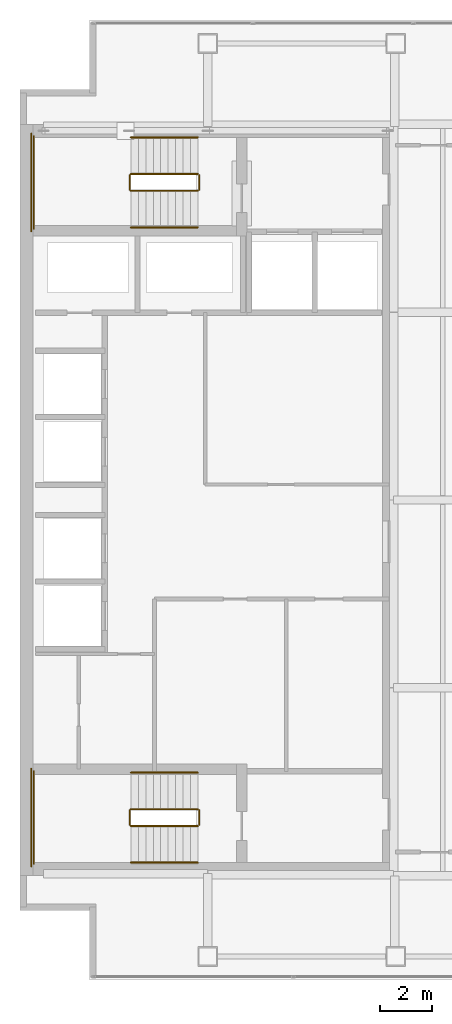
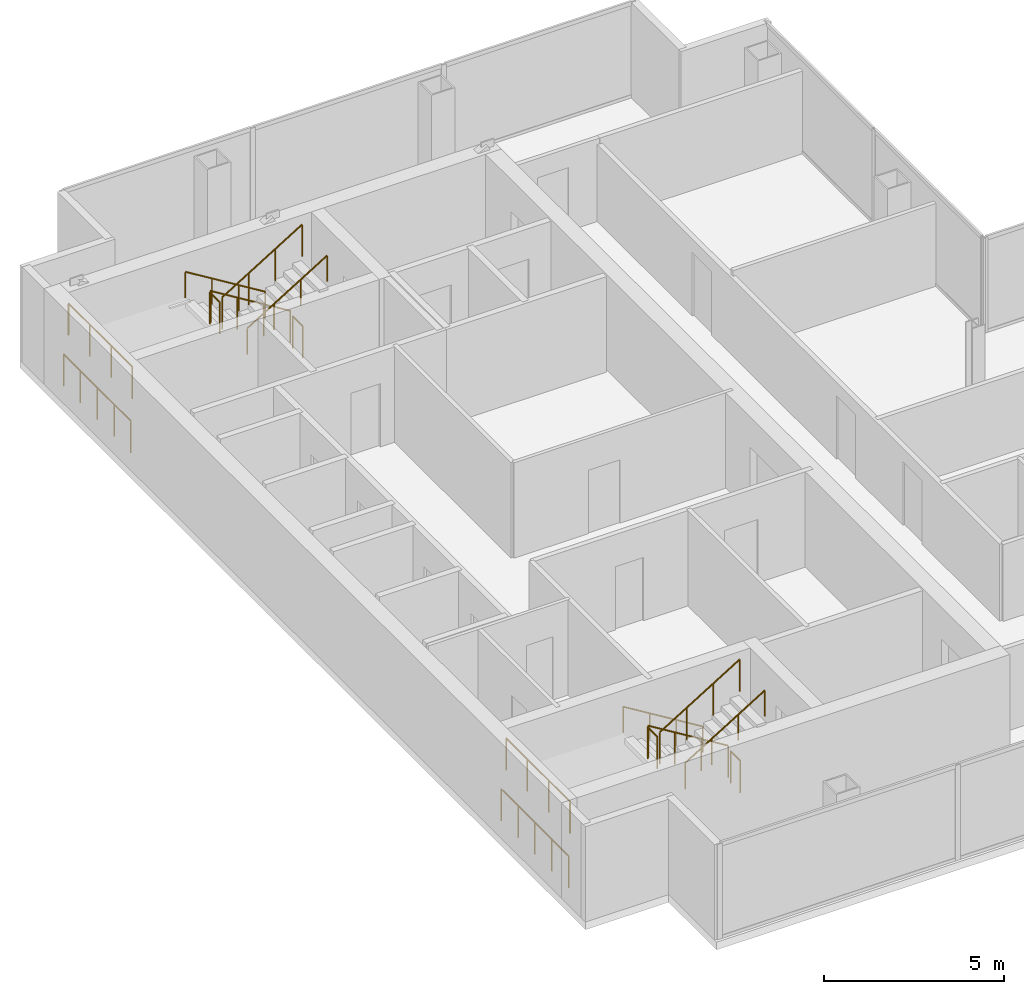
# One storey, part 23 of 23: 16 railings.
"""IFC4 building model written with IfcOpenShell, lengths in metres."""

from ifc_helpers import new_model, si_unit, direction, frame, origin, origin_2d, place, context, subcontext, project, spatial, circle, extrude, material, type_object, element, save


model = new_model("IFC4")

# Units and contexts
model_context = context("Model", 3, precision=1e-05, world=origin(), true_north=direction((0.0, 1.0)))
body_context = subcontext(model_context, "Body", "Model", "MODEL_VIEW")
ifc_project = project(units=[si_unit("LENGTHUNIT", "METRE"), si_unit("AREAUNIT", "SQUARE_METRE"), si_unit("VOLUMEUNIT", "CUBIC_METRE"), si_unit("PLANEANGLEUNIT", "RADIAN"), si_unit("MASSUNIT", "GRAM", prefix="KILO")], contexts=[model_context])

# Site, building, storey
site_placement = place(None, origin())
site = spatial("IfcSite", under=ifc_project, at=site_placement, CompositionType="ELEMENT")
building_placement = place(site_placement, origin())
building = spatial("IfcBuilding", under=site, at=building_placement, Name="Cobrela Telecom Tower", CompositionType="ELEMENT")
storey_placement = place(building_placement, frame((0.0, 0.0, 222.25)))
storey = spatial("IfcBuildingStorey", under=building, at=storey_placement, Name="L57", CompositionType="ELEMENT", Elevation=222.25)

# Railings
ifc_material = material(Name="Steel ASTM A36", Category="steel")
railing_type_1 = type_object("IfcRailingType", Name="RAIL-GUARD-1100", PredefinedType="GUARDRAIL", material=ifc_material)
railing_1_placement = place(storey_placement, frame((6.820068359375, 34.10009765625, 0.175048828125)))
element("IfcRailing", 1, at=railing_1_placement, inside=storey, type_object=railing_type_1, Name="L57 ST1 stair guard 1", PredefinedType="GUARDRAIL", context=body_context, shape_type="SweptSolid", body=[
    extrude(circle(Radius=0.02392578125, at=origin_2d()), frame((0.0, 0.0, 1.076171875), z_axis=(-0.852195335862, 0.0, 0.523223766217), x_axis=(0.0, -1.0, 0.0)), (0.0, 0.0, 1.0), 3.010009765625),
    extrude(circle(Radius=0.02099609375, at=origin_2d()), origin(), (0.0, 0.0, 1.0), 1.052001953125),
    extrude(circle(Radius=0.02099609375, at=origin_2d()), frame((-0.85498046875, 0.0, 0.52490234375)), (0.0, 0.0, 1.0), 1.052001953125),
    extrude(circle(Radius=0.02099609375, at=origin_2d()), frame((-1.710205078125, 0.0, 1.050048828125)), (0.0, 0.0, 1.0), 1.052001953125),
    extrude(circle(Radius=0.02099609375, at=origin_2d()), frame((-2.565185546875, 0.0, 1.574951171875)), (0.0, 0.0, 1.0), 1.052001953125),
])
railing_2_placement = place(storey_placement, frame((4.205078125, 34.050048828125, 1.75)))
element("IfcRailing", 2, at=railing_2_placement, inside=storey, type_object=railing_type_1, Name="L57 ST1 stair guard 2", PredefinedType="GUARDRAIL", context=body_context, shape_type="SweptSolid", body=[
    extrude(circle(Radius=0.02392578125, at=origin_2d()), frame((0.0, 0.0, 1.076171875), z_axis=(0.0, -1.0, 0.0), x_axis=(1.0, 0.0, 0.0)), (0.0, 0.0, 1.0), 0.550048828125),
    extrude(circle(Radius=0.02099609375, at=origin_2d()), origin(), (0.0, 0.0, 1.0), 1.052001953125),
    extrude(circle(Radius=0.02099609375, at=origin_2d()), frame((0.0, -0.550048828125, 0.0)), (0.0, 0.0, 1.0), 1.052001953125),
])
railing_3_placement = place(storey_placement, frame((0.530029296875, 35.550048828125, 1.75)))
element("IfcRailing", 3, at=railing_3_placement, inside=storey, type_object=railing_type_1, Name="L57 ST1 stair guard 3", PredefinedType="GUARDRAIL", context=body_context, shape_type="SweptSolid", body=[
    extrude(circle(Radius=0.02392578125, at=origin_2d()), frame((0.0, 0.0, 1.076171875), z_axis=(0.0, -1.0, 0.0), x_axis=(1.0, 0.0, 0.0)), (0.0, 0.0, 1.0), 3.550048828125),
    extrude(circle(Radius=0.02099609375, at=origin_2d()), origin(), (0.0, 0.0, 1.0), 1.052001953125),
    extrude(circle(Radius=0.02099609375, at=origin_2d()), frame((0.0, -1.183349609375, 0.0)), (0.0, 0.0, 1.0), 1.052001953125),
    extrude(circle(Radius=0.02099609375, at=origin_2d()), frame((0.0, -2.36669921875, 0.0)), (0.0, 0.0, 1.0), 1.052001953125),
    extrude(circle(Radius=0.02099609375, at=origin_2d()), frame((0.0, -3.550048828125, 0.0)), (0.0, 0.0, 1.0), 1.052001953125),
])
railing_4_placement = place(storey_placement, frame((4.2548828125, 33.449951171875, 1.925048828125)))
element("IfcRailing", 4, at=railing_4_placement, inside=storey, type_object=railing_type_1, Name="L57 ST1 stair guard 4", PredefinedType="GUARDRAIL", context=body_context, shape_type="SweptSolid", body=[
    extrude(circle(Radius=0.02392578125, at=origin_2d()), frame((0.0, 0.0, 1.076171875), z_axis=(0.852195335862, 0.0, 0.523223766217), x_axis=(0.0, 1.0, 0.0)), (0.0, 0.0, 1.0), 3.010009765625),
    extrude(circle(Radius=0.02099609375, at=origin_2d()), origin(), (0.0, 0.0, 1.0), 1.052001953125),
    extrude(circle(Radius=0.02099609375, at=origin_2d()), frame((0.85498046875, 0.0, 0.52490234375)), (0.0, 0.0, 1.0), 1.052001953125),
    extrude(circle(Radius=0.02099609375, at=origin_2d()), frame((1.710205078125, 0.0, 1.050048828125)), (0.0, 0.0, 1.0), 1.052001953125),
    extrude(circle(Radius=0.02099609375, at=origin_2d()), frame((2.565185546875, 0.0, 1.574951171875)), (0.0, 0.0, 1.0), 1.052001953125),
])
railing_5_placement = place(storey_placement, frame((6.8701171875, 34.050048828125, 0.0)))
element("IfcRailing", 5, at=railing_5_placement, inside=storey, type_object=railing_type_1, Name="L57 ST1 stair guard 5", PredefinedType="GUARDRAIL", context=body_context, shape_type="SweptSolid", body=[
    extrude(circle(Radius=0.02392578125, at=origin_2d()), frame((0.0, 0.0, 1.076171875), z_axis=(0.0, -1.0, 0.0), x_axis=(1.0, 0.0, 0.0)), (0.0, 0.0, 1.0), 0.550048828125),
    extrude(circle(Radius=0.02099609375, at=origin_2d()), origin(), (0.0, 0.0, 1.0), 1.052001953125),
    extrude(circle(Radius=0.02099609375, at=origin_2d()), frame((0.0, -0.550048828125, 0.0)), (0.0, 0.0, 1.0), 1.052001953125),
])
railing_6_placement = place(storey_placement, frame((0.429931640625, 35.64990234375, 0.0)))
element("IfcRailing", 6, at=railing_6_placement, inside=storey, type_object=railing_type_1, Name="L57 ST1 stair guard 6", PredefinedType="GUARDRAIL", context=body_context, shape_type="SweptSolid", body=[
    extrude(circle(Radius=0.02392578125, at=origin_2d()), frame((0.0, 0.0, 1.076171875), z_axis=(0.0, -1.0, 0.0), x_axis=(1.0, 0.0, 0.0)), (0.0, 0.0, 1.0), 3.75),
    extrude(circle(Radius=0.02099609375, at=origin_2d()), origin(), (0.0, 0.0, 1.0), 1.052001953125),
    extrude(circle(Radius=0.02099609375, at=origin_2d()), frame((0.0, -0.9375, 0.0)), (0.0, 0.0, 1.0), 1.052001953125),
    extrude(circle(Radius=0.02099609375, at=origin_2d()), frame((0.0, -1.875, 0.0)), (0.0, 0.0, 1.0), 1.052001953125),
    extrude(circle(Radius=0.02099609375, at=origin_2d()), frame((0.0, -2.8125, 0.0)), (0.0, 0.0, 1.0), 1.052001953125),
    extrude(circle(Radius=0.02099609375, at=origin_2d()), frame((0.0, -3.75, 0.0)), (0.0, 0.0, 1.0), 1.052001953125),
])
railing_7_placement = place(storey_placement, frame((6.820068359375, 9.75, 0.175048828125)))
element("IfcRailing", 7, at=railing_7_placement, inside=storey, type_object=railing_type_1, Name="L57 ST2 stair guard 1", PredefinedType="GUARDRAIL", context=body_context, shape_type="SweptSolid", body=[
    extrude(circle(Radius=0.02392578125, at=origin_2d()), frame((0.0, 0.0, 1.076171875), z_axis=(-0.852195335862, 0.0, 0.523223766217), x_axis=(0.0, -1.0, 0.0)), (0.0, 0.0, 1.0), 3.010009765625),
    extrude(circle(Radius=0.02099609375, at=origin_2d()), origin(), (0.0, 0.0, 1.0), 1.052001953125),
    extrude(circle(Radius=0.02099609375, at=origin_2d()), frame((-0.85498046875, 0.0, 0.52490234375)), (0.0, 0.0, 1.0), 1.052001953125),
    extrude(circle(Radius=0.02099609375, at=origin_2d()), frame((-1.710205078125, 0.0, 1.050048828125)), (0.0, 0.0, 1.0), 1.052001953125),
    extrude(circle(Radius=0.02099609375, at=origin_2d()), frame((-2.565185546875, 0.0, 1.574951171875)), (0.0, 0.0, 1.0), 1.052001953125),
])
railing_8_placement = place(storey_placement, frame((4.205078125, 9.699951171875, 1.75)))
element("IfcRailing", 8, at=railing_8_placement, inside=storey, type_object=railing_type_1, Name="L57 ST2 stair guard 2", PredefinedType="GUARDRAIL", context=body_context, shape_type="SweptSolid", body=[
    extrude(circle(Radius=0.02392578125, at=origin_2d()), frame((0.0, 0.0, 1.076171875), z_axis=(0.0, -1.0, 0.0), x_axis=(1.0, 0.0, 0.0)), (0.0, 0.0, 1.0), 0.550048828125),
    extrude(circle(Radius=0.02099609375, at=origin_2d()), origin(), (0.0, 0.0, 1.0), 1.052001953125),
    extrude(circle(Radius=0.02099609375, at=origin_2d()), frame((0.0, -0.550048828125, 0.0)), (0.0, 0.0, 1.0), 1.052001953125),
])
railing_9_placement = place(storey_placement, frame((0.530029296875, 11.199951171875, 1.75)))
element("IfcRailing", 9, at=railing_9_placement, inside=storey, type_object=railing_type_1, Name="L57 ST2 stair guard 3", PredefinedType="GUARDRAIL", context=body_context, shape_type="SweptSolid", body=[
    extrude(circle(Radius=0.02392578125, at=origin_2d()), frame((0.0, 0.0, 1.076171875), z_axis=(0.0, -1.0, 0.0), x_axis=(1.0, 0.0, 0.0)), (0.0, 0.0, 1.0), 3.550048828125),
    extrude(circle(Radius=0.02099609375, at=origin_2d()), origin(), (0.0, 0.0, 1.0), 1.052001953125),
    extrude(circle(Radius=0.02099609375, at=origin_2d()), frame((0.0, -1.183349609375, 0.0)), (0.0, 0.0, 1.0), 1.052001953125),
    extrude(circle(Radius=0.02099609375, at=origin_2d()), frame((0.0, -2.36669921875, 0.0)), (0.0, 0.0, 1.0), 1.052001953125),
    extrude(circle(Radius=0.02099609375, at=origin_2d()), frame((0.0, -3.550048828125, 0.0)), (0.0, 0.0, 1.0), 1.052001953125),
])
railing_10_placement = place(storey_placement, frame((4.2548828125, 9.10009765625, 1.925048828125)))
element("IfcRailing", 10, at=railing_10_placement, inside=storey, type_object=railing_type_1, Name="L57 ST2 stair guard 4", PredefinedType="GUARDRAIL", context=body_context, shape_type="SweptSolid", body=[
    extrude(circle(Radius=0.02392578125, at=origin_2d()), frame((0.0, 0.0, 1.076171875), z_axis=(0.852195335862, 0.0, 0.523223766217), x_axis=(0.0, 1.0, 0.0)), (0.0, 0.0, 1.0), 3.010009765625),
    extrude(circle(Radius=0.02099609375, at=origin_2d()), origin(), (0.0, 0.0, 1.0), 1.052001953125),
    extrude(circle(Radius=0.02099609375, at=origin_2d()), frame((0.85498046875, 0.0, 0.52490234375)), (0.0, 0.0, 1.0), 1.052001953125),
    extrude(circle(Radius=0.02099609375, at=origin_2d()), frame((1.710205078125, 0.0, 1.050048828125)), (0.0, 0.0, 1.0), 1.052001953125),
    extrude(circle(Radius=0.02099609375, at=origin_2d()), frame((2.565185546875, 0.0, 1.574951171875)), (0.0, 0.0, 1.0), 1.052001953125),
])
railing_11_placement = place(storey_placement, frame((6.8701171875, 9.699951171875, 0.0)))
element("IfcRailing", 11, at=railing_11_placement, inside=storey, type_object=railing_type_1, Name="L57 ST2 stair guard 5", PredefinedType="GUARDRAIL", context=body_context, shape_type="SweptSolid", body=[
    extrude(circle(Radius=0.02392578125, at=origin_2d()), frame((0.0, 0.0, 1.076171875), z_axis=(0.0, -1.0, 0.0), x_axis=(1.0, 0.0, 0.0)), (0.0, 0.0, 1.0), 0.550048828125),
    extrude(circle(Radius=0.02099609375, at=origin_2d()), origin(), (0.0, 0.0, 1.0), 1.052001953125),
    extrude(circle(Radius=0.02099609375, at=origin_2d()), frame((0.0, -0.550048828125, 0.0)), (0.0, 0.0, 1.0), 1.052001953125),
])
railing_12_placement = place(storey_placement, frame((0.429931640625, 11.300048828125, 0.0)))
element("IfcRailing", 12, at=railing_12_placement, inside=storey, type_object=railing_type_1, Name="L57 ST2 stair guard 6", PredefinedType="GUARDRAIL", context=body_context, shape_type="SweptSolid", body=[
    extrude(circle(Radius=0.02392578125, at=origin_2d()), frame((0.0, 0.0, 1.076171875), z_axis=(0.0, -1.0, 0.0), x_axis=(1.0, 0.0, 0.0)), (0.0, 0.0, 1.0), 3.75),
    extrude(circle(Radius=0.02099609375, at=origin_2d()), origin(), (0.0, 0.0, 1.0), 1.052001953125),
    extrude(circle(Radius=0.02099609375, at=origin_2d()), frame((0.0, -0.9375, 0.0)), (0.0, 0.0, 1.0), 1.052001953125),
    extrude(circle(Radius=0.02099609375, at=origin_2d()), frame((0.0, -1.875, 0.0)), (0.0, 0.0, 1.0), 1.052001953125),
    extrude(circle(Radius=0.02099609375, at=origin_2d()), frame((0.0, -2.8125, 0.0)), (0.0, 0.0, 1.0), 1.052001953125),
    extrude(circle(Radius=0.02099609375, at=origin_2d()), frame((0.0, -3.75, 0.0)), (0.0, 0.0, 1.0), 1.052001953125),
])
railing_type_2 = type_object("IfcRailingType", Name="RAIL-HAND-920", PredefinedType="HANDRAIL", material=ifc_material)
railing_13_placement = place(storey_placement, frame((6.820068359375, 35.5, 0.175048828125)))
element("IfcRailing", 13, at=railing_13_placement, inside=storey, type_object=railing_type_2, Name="L57 ST1 stair handrail 1", PredefinedType="HANDRAIL", context=body_context, shape_type="SweptSolid", body=[
    extrude(circle(Radius=0.02392578125, at=origin_2d()), frame((0.0, 0.0, 0.8759765625), z_axis=(-0.852195335862, 0.0, 0.523223766217), x_axis=(0.0, -1.0, 0.0)), (0.0, 0.0, 1.0), 3.010009765625),
    extrude(circle(Radius=0.02099609375, at=origin_2d()), origin(), (0.0, 0.0, 1.0), 0.851806640625),
    extrude(circle(Radius=0.02099609375, at=origin_2d()), frame((-0.85498046875, 0.0, 0.52490234375)), (0.0, 0.0, 1.0), 0.851806640625),
    extrude(circle(Radius=0.02099609375, at=origin_2d()), frame((-1.710205078125, 0.0, 1.050048828125)), (0.0, 0.0, 1.0), 0.851806640625),
    extrude(circle(Radius=0.02099609375, at=origin_2d()), frame((-2.565185546875, 0.0, 1.574951171875)), (0.0, 0.0, 1.0), 0.851806640625),
])
railing_14_placement = place(storey_placement, frame((4.2548828125, 32.050048828125, 1.925048828125)))
element("IfcRailing", 14, at=railing_14_placement, inside=storey, type_object=railing_type_2, Name="L57 ST1 stair handrail 2", PredefinedType="HANDRAIL", context=body_context, shape_type="SweptSolid", body=[
    extrude(circle(Radius=0.02392578125, at=origin_2d()), frame((0.0, 0.0, 0.8759765625), z_axis=(0.852195335862, 0.0, 0.523223766217), x_axis=(0.0, 1.0, 0.0)), (0.0, 0.0, 1.0), 3.010009765625),
    extrude(circle(Radius=0.02099609375, at=origin_2d()), origin(), (0.0, 0.0, 1.0), 0.851806640625),
    extrude(circle(Radius=0.02099609375, at=origin_2d()), frame((0.85498046875, 0.0, 0.52490234375)), (0.0, 0.0, 1.0), 0.851806640625),
    extrude(circle(Radius=0.02099609375, at=origin_2d()), frame((1.710205078125, 0.0, 1.050048828125)), (0.0, 0.0, 1.0), 0.851806640625),
    extrude(circle(Radius=0.02099609375, at=origin_2d()), frame((2.565185546875, 0.0, 1.574951171875)), (0.0, 0.0, 1.0), 0.851806640625),
])
railing_15_placement = place(storey_placement, frame((6.820068359375, 11.14990234375, 0.175048828125)))
element("IfcRailing", 15, at=railing_15_placement, inside=storey, type_object=railing_type_2, Name="L57 ST2 stair handrail 1", PredefinedType="HANDRAIL", context=body_context, shape_type="SweptSolid", body=[
    extrude(circle(Radius=0.02392578125, at=origin_2d()), frame((0.0, 0.0, 0.8759765625), z_axis=(-0.852195335862, 0.0, 0.523223766217), x_axis=(0.0, -1.0, 0.0)), (0.0, 0.0, 1.0), 3.010009765625),
    extrude(circle(Radius=0.02099609375, at=origin_2d()), origin(), (0.0, 0.0, 1.0), 0.851806640625),
    extrude(circle(Radius=0.02099609375, at=origin_2d()), frame((-0.85498046875, 0.0, 0.52490234375)), (0.0, 0.0, 1.0), 0.851806640625),
    extrude(circle(Radius=0.02099609375, at=origin_2d()), frame((-1.710205078125, 0.0, 1.050048828125)), (0.0, 0.0, 1.0), 0.851806640625),
    extrude(circle(Radius=0.02099609375, at=origin_2d()), frame((-2.565185546875, 0.0, 1.574951171875)), (0.0, 0.0, 1.0), 0.851806640625),
])
railing_16_placement = place(storey_placement, frame((4.2548828125, 7.699951171875, 1.925048828125)))
element("IfcRailing", 16, at=railing_16_placement, inside=storey, type_object=railing_type_2, Name="L57 ST2 stair handrail 2", PredefinedType="HANDRAIL", context=body_context, shape_type="SweptSolid", body=[
    extrude(circle(Radius=0.02392578125, at=origin_2d()), frame((0.0, 0.0, 0.8759765625), z_axis=(0.852195335862, 0.0, 0.523223766217), x_axis=(0.0, 1.0, 0.0)), (0.0, 0.0, 1.0), 3.010009765625),
    extrude(circle(Radius=0.02099609375, at=origin_2d()), origin(), (0.0, 0.0, 1.0), 0.851806640625),
    extrude(circle(Radius=0.02099609375, at=origin_2d()), frame((0.85498046875, 0.0, 0.52490234375)), (0.0, 0.0, 1.0), 0.851806640625),
    extrude(circle(Radius=0.02099609375, at=origin_2d()), frame((1.710205078125, 0.0, 1.050048828125)), (0.0, 0.0, 1.0), 0.851806640625),
    extrude(circle(Radius=0.02099609375, at=origin_2d()), frame((2.565185546875, 0.0, 1.574951171875)), (0.0, 0.0, 1.0), 0.851806640625),
])

save(model, "model.ifc")
